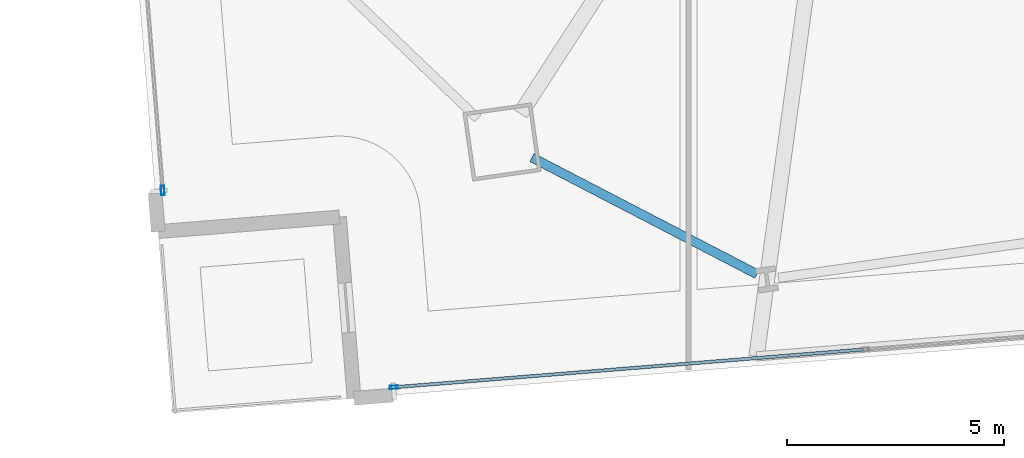
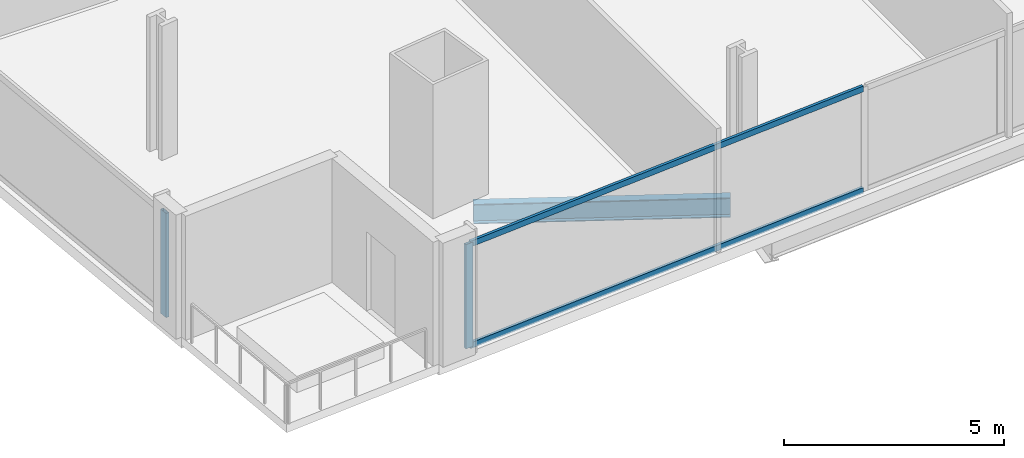
# One storey, part 2 of 33: 4 members, 1 beam, 2 elements without a shape of their own.
"""IFC4 building model written with IfcOpenShell, lengths in metres."""

from ifc_helpers import new_model, si_unit, direction, frame, origin, origin_2d, place, context, subcontext, project, spatial, hollow_rectangle, i_section, extrude, material, material_profile, profile_set, type_object, element, aggregate, save


model = new_model("IFC4")

# Units and contexts
model_context = context("Model", 3, precision=1e-05, world=origin(), true_north=direction((0.0, 1.0)))
body_context = subcontext(model_context, "Body", "Model", "MODEL_VIEW")
ifc_project = project(units=[si_unit("LENGTHUNIT", "METRE"), si_unit("AREAUNIT", "SQUARE_METRE"), si_unit("VOLUMEUNIT", "CUBIC_METRE"), si_unit("PLANEANGLEUNIT", "RADIAN"), si_unit("MASSUNIT", "GRAM", prefix="KILO")], contexts=[model_context])

# Site, building, storey
site_placement = place(None, origin())
site = spatial("IfcSite", under=ifc_project, at=site_placement, CompositionType="ELEMENT")
building_placement = place(site_placement, origin())
building = spatial("IfcBuilding", under=site, at=building_placement, Name="Haldenkirk Collegiate Tower", CompositionType="ELEMENT")
storey_placement = place(building_placement, frame((0.0, 0.0, 43.949951171875)))
storey = spatial("IfcBuildingStorey", under=building, at=storey_placement, Name="L09", CompositionType="ELEMENT", Elevation=43.949951171875)

# Beam
ifc_material_1 = material(Name="Steel ASTM A992 Grade 50", Category="steel")
ifc_material_profile_1 = material_profile(ifc_material_1, i_section(OverallWidth=0.2119140625, OverallDepth=0.5439453125, WebThickness=0.01318359375, FlangeThickness=0.021240234375, at=origin_2d()), Name="W21X83")
ifc_profile_set_1 = profile_set([ifc_material_profile_1], Name="Steel ASTM A992 Grade 50")
beam_type = type_object("IfcBeamType", Name="BM-SPANDREL-W21X83", PredefinedType="SPANDREL", material=ifc_profile_set_1)
beam_placement = place(storey_placement, frame((19.388671875, 4.8125, -0.58203125), z_axis=(0.887640153988, -0.460537682528, 0.0), x_axis=(0.460537682528, 0.887640153988, 0.0)))
element("IfcBeam", 1, at=beam_placement, inside=storey, type_object=beam_type, Name="L09 perimeter spandrel beam 01", PredefinedType="SPANDREL", context=body_context, shape_type="SweptSolid", body=[
    extrude(i_section(OverallWidth=0.2119140625, OverallDepth=0.5439453125, WebThickness=0.01318359375, FlangeThickness=0.021240234375, at=origin_2d()), origin(), (0.0, 0.0, 1.0), 5.848876953125),
])

# Curtain wall, member
ifc_material_2 = material(Name="Anodised architectural bronze aluminium", Category="aluminium")
curtain_wall_type_1 = type_object("IfcCurtainWallType", Name="CW-SYS2-CONCAVE", PredefinedType="USERDEFINED", material=ifc_material_2)
curtain_wall_1_placement = place(storey_placement, origin())
curtain_wall_1 = element("IfcCurtainWall", 2, at=curtain_wall_1_placement, inside=storey, type_object=curtain_wall_type_1, Name="L09 South concave recessed bronze-anodised curtain wall", ObjectType="UNITISED CURTAIN WALL", PredefinedType="USERDEFINED")
ifc_material_profile_2 = material_profile(ifc_material_2, hollow_rectangle(XDim=0.074951171875, YDim=0.18994140625, WallThickness=0.0048828125, at=origin_2d()), Name="CW-MUL-02")
ifc_profile_set_2 = profile_set([ifc_material_profile_2], Name="Anodised architectural bronze aluminium")
member_type_1 = type_object("IfcMemberType", Name="CW-MUL-02", PredefinedType="MULLION", material=ifc_profile_set_2)
member_1_placement = place(storey_placement, frame((16.198486328125, -0.493408203125, 0.0), z_axis=(0.0, 0.0, 1.0), x_axis=(0.08019865918, -0.99677889979, 0.0)))
member_1 = element("IfcMember", 3, at=member_1_placement, type_object=member_type_1, Name="CW-02 mullion 5", PredefinedType="MULLION", context=body_context, shape_type="SweptSolid", body=[
    extrude(hollow_rectangle(XDim=0.074951171875, YDim=0.18994140625, WallThickness=0.0048828125, at=origin_2d()), origin(), (0.0, 0.0, 1.0), 2.89111328125),
])

curtain_wall_type_2 = type_object("IfcCurtainWallType", Name="CW-SYS1-CONVEX-LOW", PredefinedType="USERDEFINED", material=ifc_material_2)
curtain_wall_2_placement = place(storey_placement, origin())
curtain_wall_2 = element("IfcCurtainWall", 4, at=curtain_wall_2_placement, inside=storey, type_object=curtain_wall_type_2, Name="L09 Lower tower convex bronze-framed unitised curtain wall", ObjectType="UNITISED CURTAIN WALL", PredefinedType="USERDEFINED")
ifc_material_profile_3 = material_profile(ifc_material_2, hollow_rectangle(XDim=0.080078125, YDim=0.219970703125, WallThickness=0.0048828125, at=origin_2d()), Name="CW-MUL-1A")
ifc_profile_set_3 = profile_set([ifc_material_profile_3], Name="Anodised architectural bronze aluminium")
member_type_2 = type_object("IfcMemberType", Name="CW-MUL-1A", PredefinedType="MULLION", material=ifc_profile_set_3)
member_2_placement = place(storey_placement, frame((10.859130859375, 4.052978515625, 0.0), z_axis=(0.0, 0.0, 1.0), x_axis=(-0.996778913457, -0.080198489315, 0.0)))
member_2 = element("IfcMember", 5, at=member_2_placement, type_object=member_type_2, Name="CW-1A mullion 1", PredefinedType="MULLION", context=body_context, shape_type="SweptSolid", body=[
    extrude(hollow_rectangle(XDim=0.080078125, YDim=0.219970703125, WallThickness=0.0048828125, at=origin_2d()), origin(), (0.0, 0.0, 1.0), 2.89111328125),
])
aggregate(curtain_wall_2, [member_2])

# Member
ifc_material_profile_4 = material_profile(ifc_material_2, hollow_rectangle(XDim=0.074951171875, YDim=0.159912109375, WallThickness=0.0048828125, at=origin_2d()), Name="CW-TRN-02")
ifc_profile_set_4 = profile_set([ifc_material_profile_4], Name="Anodised architectural bronze aluminium")
member_type_3 = type_object("IfcMemberType", Name="CW-TRN-02", PredefinedType="USERDEFINED", material=ifc_profile_set_4)
member_3_placement = place(storey_placement, frame((27.038330078125, 0.378662109375, 0.03759765625), z_axis=(-0.996778930845, -0.080198273189, 0.0), x_axis=(0.080198273189, -0.996778930845, 0.0)))
member_3 = element("IfcMember", 6, at=member_3_placement, type_object=member_type_3, Name="CW-02 transom 4.1", ObjectType="TRANSOM", PredefinedType="USERDEFINED", context=body_context, shape_type="SweptSolid", body=[
    extrude(hollow_rectangle(XDim=0.074951171875, YDim=0.159912109375, WallThickness=0.0048828125, at=origin_2d()), origin(), (0.0, 0.0, 1.0), 10.83740234375),
])

member_4_placement = place(storey_placement, frame((27.038330078125, 0.378662109375, 2.853515625), z_axis=(-0.996778930845, -0.080198273189, 0.0), x_axis=(0.080198273189, -0.996778930845, 0.0)))
member_4 = element("IfcMember", 7, at=member_4_placement, type_object=member_type_3, Name="CW-02 transom 4.2", ObjectType="TRANSOM", PredefinedType="USERDEFINED", context=body_context, shape_type="SweptSolid", body=[
    extrude(hollow_rectangle(XDim=0.074951171875, YDim=0.159912109375, WallThickness=0.0048828125, at=origin_2d()), origin(), (0.0, 0.0, 1.0), 10.83740234375),
])

aggregate(curtain_wall_1, [member_1, member_3, member_4])

save(model, "model.ifc")
